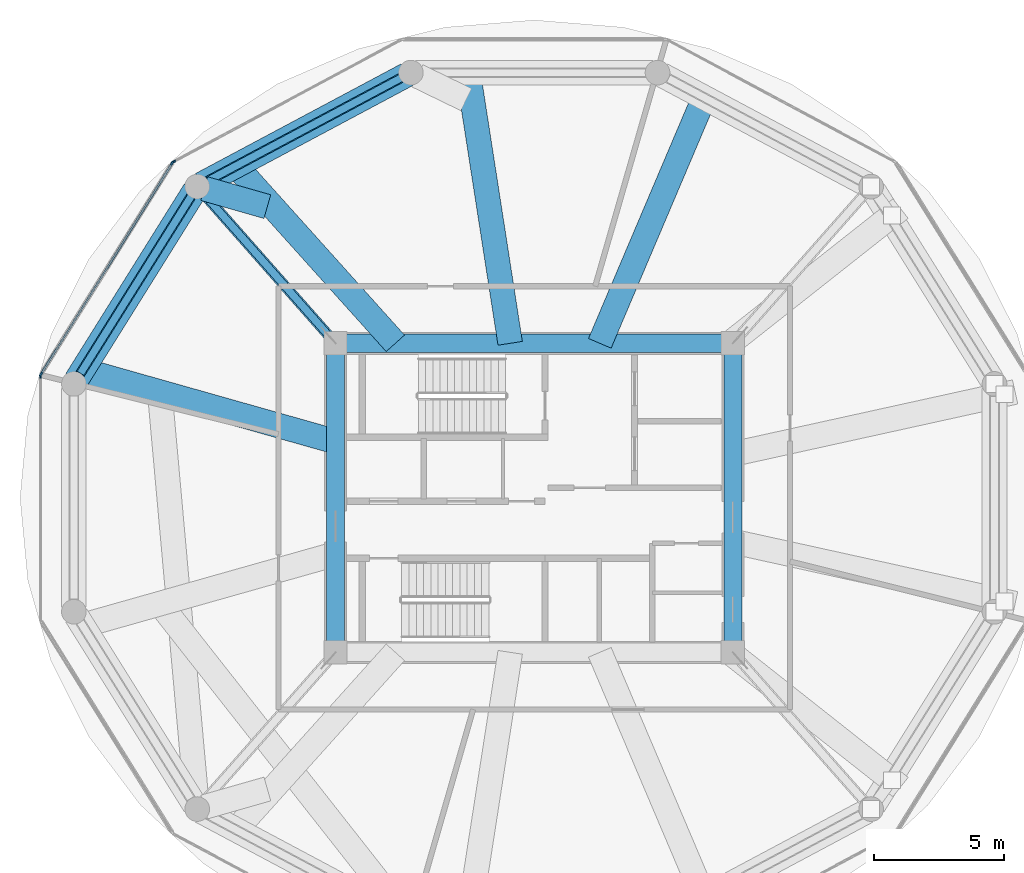
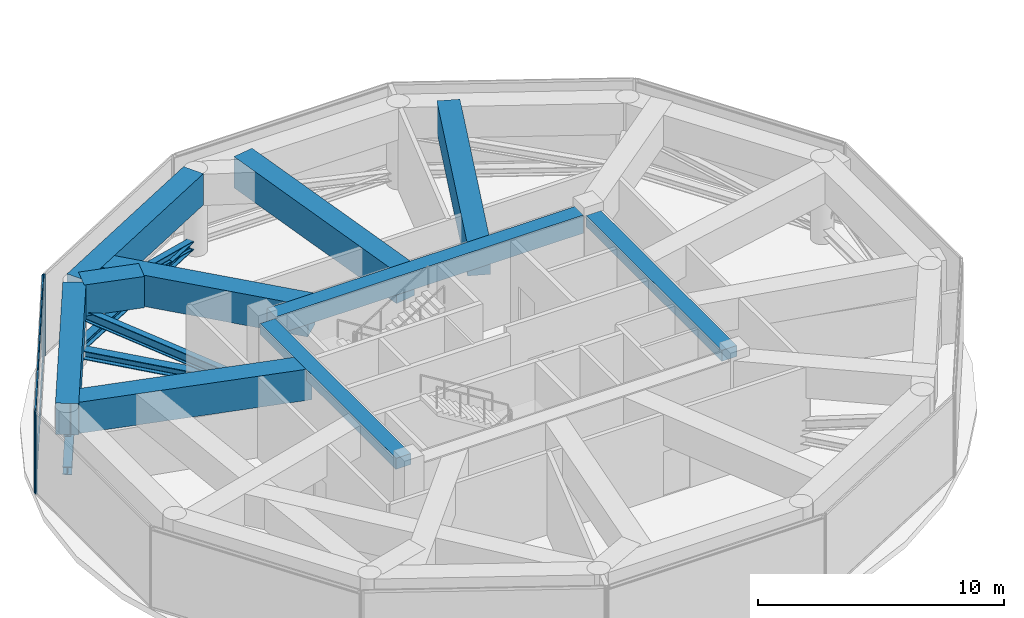
# One storey, part 4 of 22: 12 members, 10 beams, 3 elements without a shape of their own.
"""IFC4 building model written with IfcOpenShell, lengths in metres."""

from ifc_helpers import new_model, si_unit, direction, frame, origin, origin_2d, place, context, subcontext, project, spatial, rectangle, i_section, extrude, source, transform, mapped, material, layer, layer_set, material_profile, profile_set, type_object, type_shapes, element, aggregate, save


model = new_model("IFC4")

# Units and contexts
model_context = context("Model", 3, precision=1e-05, world=origin(), true_north=direction((0.0, 1.0)))
body_context = subcontext(model_context, "Body", "Model", "MODEL_VIEW")
ifc_project = project(units=[si_unit("LENGTHUNIT", "METRE"), si_unit("AREAUNIT", "SQUARE_METRE"), si_unit("VOLUMEUNIT", "CUBIC_METRE"), si_unit("PLANEANGLEUNIT", "RADIAN"), si_unit("MASSUNIT", "GRAM", prefix="KILO")], contexts=[model_context])

# Site, building, storey
site_placement = place(None, origin())
site = spatial("IfcSite", under=ifc_project, at=site_placement, CompositionType="ELEMENT")
building_placement = place(site_placement, origin())
building = spatial("IfcBuilding", under=site, at=building_placement, Name="Norrkilde Senior Care Towers", CompositionType="ELEMENT")
storey_placement = place(building_placement, frame((0.0, 0.0, 73.449951171875)))
storey = spatial("IfcBuildingStorey", under=building, at=storey_placement, Name="L22", CompositionType="ELEMENT", Elevation=73.449951171875)

# Beams
ifc_material_1 = material(Name="Concrete C60/75", Category="concrete")
ifc_material_profile_1 = material_profile(ifc_material_1, rectangle(XDim=0.699951171875, YDim=0.89990234375, at=origin_2d()), Name="RC BM 700x900")
ifc_profile_set_1 = profile_set([ifc_material_profile_1], Name="Concrete C60/75")
beam_type_1 = type_object("IfcBeamType", Name="Core Coupling Girder 700x900", PredefinedType="USERDEFINED", material=ifc_profile_set_1)
shared_shape_1 = source(origin(), body_context, "Body", "SweptSolid", [
    extrude(rectangle(XDim=0.699951171875, YDim=0.89990234375, at=origin_2d()), origin(), (0.0, 0.0, 1.0), 14.43994140625),
])
type_shapes(beam_type_1, [shared_shape_1])
beam_1_placement = place(storey_placement, frame((-35.219970703125, 5.949951171875, 3.630126953125), z_axis=(1.0, 0.0, 0.0), x_axis=(0.0, 1.0, 0.0)))
element("IfcBeam", 1, at=beam_1_placement, inside=storey, type_object=beam_type_1, Name="L22 Core W N Coupling Girder", ObjectType="GIRDER", PredefinedType="USERDEFINED", context=body_context, shape_type="MappedRepresentation", body=[
    mapped(shared_shape_1, transform((0.0, 0.0, 0.0), x_axis=(1.0, 0.0, 0.0), y_axis=(0.0, 1.0, 0.0), z_axis=(0.0, 0.0, 1.0), scale=1.0)),
])
ifc_material_profile_2 = material_profile(ifc_material_1, rectangle(XDim=0.699951171875, YDim=0.550048828125, at=origin_2d()), Name="RC BM 700x550")
ifc_profile_set_2 = profile_set([ifc_material_profile_2], Name="Concrete C60/75")
beam_type_2 = type_object("IfcBeamType", Name="Core Portal Coupling Beam 700x550", PredefinedType="USERDEFINED", material=ifc_profile_set_2)
shared_shape_2 = source(origin(), body_context, "Body", "SweptSolid", [
    extrude(rectangle(XDim=0.699951171875, YDim=0.550048828125, at=origin_2d()), origin(), (0.0, 0.0, 1.0), 11.0400390625),
])
type_shapes(beam_type_2, [shared_shape_2])
for number, where, z_axis, x_axis, name in (
    (2, (-35.64990234375, -5.52001953125, 3.804931640625), (0.0, 1.0, 0.0), (-1.0, 0.0, 0.0), "L22 Core W W Coupling Girder"),
    (3, (-20.35009765625, -5.52001953125, 3.804931640625), (0.0, 1.0, 0.0), (-1.0, 0.0, 0.0), "L22 Core W E Coupling Girder"),
):
    element("IfcBeam", number, at=place(storey_placement, frame(where, z_axis=z_axis, x_axis=x_axis)), inside=storey, type_object=beam_type_2, Name=name, ObjectType="GIRDER", PredefinedType="USERDEFINED", context=body_context, shape_type="MappedRepresentation", body=[
        mapped(shared_shape_2, transform((0.0, 0.0, 0.0), x_axis=(1.0, 0.0, 0.0), y_axis=(0.0, 1.0, 0.0), z_axis=(0.0, 0.0, 1.0), scale=1.0)),
    ])
ifc_material_profile_3 = material_profile(ifc_material_1, rectangle(XDim=0.949951171875, YDim=1.550048828125, at=origin_2d()), Name="RC TG 950x1550")
ifc_profile_set_3 = profile_set([ifc_material_profile_3], Name="Concrete C60/75")
beam_type_3 = type_object("IfcBeamType", Name="Transfer Girder Zone Shift 950x1550", PredefinedType="USERDEFINED", material=ifc_profile_set_3)
shared_shape_3 = source(origin(), body_context, "Body", "SweptSolid", [
    extrude(rectangle(XDim=0.949951171875, YDim=1.550048828125, at=origin_2d()), origin(), (0.0, 0.0, 1.0), 8.6005859375),
])
beam_2_placement = place(storey_placement, frame((-41.07080078125, 11.832763671875, 3.304931640625), z_axis=(-0.53002700696, -0.847980761511, 0.0), x_axis=(0.847980761511, -0.53002700696, 0.0)))
element("IfcBeam", 4, at=beam_2_placement, inside=storey, type_object=beam_type_3, Name="L22 Drum W Zone Ring Transfer Girder 05", ObjectType="GIRDER", PredefinedType="USERDEFINED", context=body_context, shape_type="MappedRepresentation", body=[
    mapped(shared_shape_3, transform((0.0, 0.0, 0.0), x_axis=(1.0, 0.0, 0.0), y_axis=(0.0, 1.0, 0.0), z_axis=(0.0, 0.0, 1.0), scale=1.0)),
])
shared_shape_4 = source(origin(), body_context, "Body", "SweptSolid", [
    extrude(rectangle(XDim=0.949951171875, YDim=1.550048828125, at=origin_2d()), origin(), (0.0, 0.0, 1.0), 8.962890625),
])
beam_3_placement = place(storey_placement, frame((-32.908203125, 16.287841796875, 3.304931640625), z_axis=(-0.882355957252, -0.470582580109, 0.0), x_axis=(0.470582580109, -0.882355957252, 0.0)))
element("IfcBeam", 5, at=beam_3_placement, inside=storey, type_object=beam_type_3, Name="L22 Drum W Zone Ring Transfer Girder 04", ObjectType="GIRDER", PredefinedType="USERDEFINED", context=body_context, shape_type="MappedRepresentation", body=[
    mapped(shared_shape_4, transform((0.0, 0.0, 0.0), x_axis=(1.0, 0.0, 0.0), y_axis=(0.0, 1.0, 0.0), z_axis=(0.0, 0.0, 1.0), scale=1.0)),
])
shared_shape_5 = source(origin(), body_context, "Body", "SweptSolid", [
    extrude(rectangle(XDim=0.949951171875, YDim=1.550048828125, at=origin_2d()), origin(), (0.0, 0.0, 1.0), 10.281982421875),
])
beam_4_placement = place(storey_placement, frame((-25.472412109375, 5.949951171875, 3.304931640625), z_axis=(0.391002869326, 0.920389458968, 0.0), x_axis=(-0.920389458968, 0.391002869326, 0.0)))
element("IfcBeam", 6, at=beam_4_placement, inside=storey, type_object=beam_type_3, Name="L22 Drum W Zone Transfer Girder 03", ObjectType="GIRDER", PredefinedType="USERDEFINED", context=body_context, shape_type="MappedRepresentation", body=[
    mapped(shared_shape_5, transform((0.0, 0.0, 0.0), x_axis=(1.0, 0.0, 0.0), y_axis=(0.0, 1.0, 0.0), z_axis=(0.0, 0.0, 1.0), scale=1.0)),
])
shared_shape_6 = source(origin(), body_context, "Body", "SweptSolid", [
    extrude(rectangle(XDim=0.949951171875, YDim=1.550048828125, at=origin_2d()), origin(), (0.0, 0.0, 1.0), 10.547607421875),
])
beam_5_placement = place(storey_placement, frame((-28.924072265625, 5.949951171875, 3.304931640625), z_axis=(-0.153485022833, 0.988150974176, 0.0), x_axis=(-0.988150974176, -0.153485022833, 0.0)))
element("IfcBeam", 7, at=beam_5_placement, inside=storey, type_object=beam_type_3, Name="L22 Drum W Zone Transfer Girder 04", ObjectType="GIRDER", PredefinedType="USERDEFINED", context=body_context, shape_type="MappedRepresentation", body=[
    mapped(shared_shape_6, transform((0.0, 0.0, 0.0), x_axis=(1.0, 0.0, 0.0), y_axis=(0.0, 1.0, 0.0), z_axis=(0.0, 0.0, 1.0), scale=1.0)),
])
shared_shape_7 = source(origin(), body_context, "Body", "SweptSolid", [
    extrude(rectangle(XDim=0.949951171875, YDim=1.550048828125, at=origin_2d()), origin(), (0.0, 0.0, 1.0), 9.183349609375),
])
beam_6_placement = place(storey_placement, frame((-33.345947265625, 5.949951171875, 3.304931640625), z_axis=(-0.668319684115, 0.743874182792, 0.0), x_axis=(-0.743874182792, -0.668319684115, 0.0)))
element("IfcBeam", 8, at=beam_6_placement, inside=storey, type_object=beam_type_3, Name="L22 Drum W Zone Transfer Girder 05", ObjectType="GIRDER", PredefinedType="USERDEFINED", context=body_context, shape_type="MappedRepresentation", body=[
    mapped(shared_shape_7, transform((0.0, 0.0, 0.0), x_axis=(1.0, 0.0, 0.0), y_axis=(0.0, 1.0, 0.0), z_axis=(0.0, 0.0, 1.0), scale=1.0)),
])
shared_shape_8 = source(origin(), body_context, "Body", "SweptSolid", [
    extrude(rectangle(XDim=0.949951171875, YDim=1.550048828125, at=origin_2d()), origin(), (0.0, 0.0, 1.0), 2.528076171875),
])
beam_7_placement = place(storey_placement, frame((-38.275390625, 11.2138671875, 3.304931640625), z_axis=(-0.961520303508, 0.274733882041, 0.0), x_axis=(-0.274733882041, -0.961520303508, 0.0)))
element("IfcBeam", 9, at=beam_7_placement, inside=storey, type_object=beam_type_3, Name="L22 Drum W Zone Star Transfer Tie 05", ObjectType="GIRDER", PredefinedType="USERDEFINED", context=body_context, shape_type="MappedRepresentation", body=[
    mapped(shared_shape_8, transform((0.0, 0.0, 0.0), x_axis=(1.0, 0.0, 0.0), y_axis=(0.0, 1.0, 0.0), z_axis=(0.0, 0.0, 1.0), scale=1.0)),
])
shared_shape_9 = source(origin(), body_context, "Body", "SweptSolid", [
    extrude(rectangle(XDim=0.949951171875, YDim=1.550048828125, at=origin_2d()), origin(), (0.0, 0.0, 1.0), 10.125244140625),
])
type_shapes(beam_type_3, [shared_shape_3, shared_shape_4, shared_shape_5, shared_shape_6, shared_shape_7, shared_shape_8, shared_shape_9])
beam_8_placement = place(storey_placement, frame((-35.64990234375, 2.162841796875, 3.304931640625), z_axis=(-0.962288137235, 0.272032242459, 0.0), x_axis=(-0.272032242459, -0.962288137235, 0.0)))
element("IfcBeam", 10, at=beam_8_placement, inside=storey, type_object=beam_type_3, Name="L22 Drum W Zone Transfer Girder 06", ObjectType="GIRDER", PredefinedType="USERDEFINED", context=body_context, shape_type="MappedRepresentation", body=[
    mapped(shared_shape_9, transform((0.0, 0.0, 0.0), x_axis=(1.0, 0.0, 0.0), y_axis=(0.0, 1.0, 0.0), z_axis=(0.0, 0.0, 1.0), scale=1.0)),
])

# Members
ifc_material_2 = material(Name="Steel S355", Category="steel")
ifc_material_profile_4 = material_profile(ifc_material_2, i_section(OverallWidth=0.3740234375, OverallDepth=0.386962890625, WebThickness=0.01611328125, FlangeThickness=0.027099609375, FilletRadius=0.014892578125, at=origin_2d()), Name="HD 360x262")
ifc_profile_set_4 = profile_set([ifc_material_profile_4], Name="Steel S355")
member_type_1 = type_object("IfcMemberType", Name="Belt Truss Ring Chord HD360x262", PredefinedType="CHORD", material=ifc_profile_set_4)
shared_shape_10 = source(origin(), body_context, "Body", "SweptSolid", [
    extrude(i_section(OverallWidth=0.3740234375, OverallDepth=0.386962890625, WebThickness=0.01611328125, FlangeThickness=0.027099609375, FilletRadius=0.014892578125, at=origin_2d()), origin(), (0.0, 0.0, 1.0), 8.090576171875),
])
member_1_placement = place(storey_placement, frame((-41.2060546875, 11.61669921875, 0.550048828125), z_axis=(-0.530004364821, -0.84799491347, 0.0), x_axis=(0.84799491347, -0.530004364821, 0.0)))
element("IfcMember", 11, at=member_1_placement, inside=storey, type_object=member_type_1, Name="L22 Drum W Belt Truss Bottom Chord 05", PredefinedType="CHORD", context=body_context, shape_type="MappedRepresentation", body=[
    mapped(shared_shape_10, transform((0.0, 0.0, 0.0), x_axis=(1.0, 0.0, 0.0), y_axis=(0.0, 1.0, 0.0), z_axis=(0.0, 0.0, 1.0), scale=1.0)),
])
ifc_material_profile_5 = material_profile(ifc_material_2, i_section(OverallWidth=0.300048828125, OverallDepth=0.39990234375, WebThickness=0.013427734375, FlangeThickness=0.02392578125, FilletRadius=0.027099609375, at=origin_2d()), Name="HEB 400")
ifc_profile_set_5 = profile_set([ifc_material_profile_5], Name="Steel S355")
member_type_2 = type_object("IfcMemberType", Name="Belt Truss Diagonal HEB400", PredefinedType="BRACE", material=ifc_profile_set_5)
shared_shape_11 = source(origin(), body_context, "Body", "SweptSolid", [
    extrude(i_section(OverallWidth=0.300048828125, OverallDepth=0.39990234375, WebThickness=0.013427734375, FlangeThickness=0.02392578125, FilletRadius=0.027099609375, at=origin_2d()), origin(), (0.0, 0.0, 1.0), 8.317626953125),
])
member_2_placement = place(storey_placement, frame((-41.2060546875, 11.61669921875, 0.550048828125), z_axis=(-0.515540041994, -0.824852326355, 0.232028241401), x_axis=(0.84799491347, -0.530004364821, 0.0)))
element("IfcMember", 12, at=member_2_placement, inside=storey, type_object=member_type_2, Name="L22 Drum W Belt Truss Diagonal 05", PredefinedType="BRACE", context=body_context, shape_type="MappedRepresentation", body=[
    mapped(shared_shape_11, transform((0.0, 0.0, 0.0), x_axis=(1.0, 0.0, 0.0), y_axis=(0.0, 1.0, 0.0), z_axis=(0.0, 0.0, 1.0), scale=1.0)),
])
shared_shape_12 = source(origin(), body_context, "Body", "SweptSolid", [
    extrude(i_section(OverallWidth=0.3740234375, OverallDepth=0.386962890625, WebThickness=0.01611328125, FlangeThickness=0.027099609375, FilletRadius=0.014892578125, at=origin_2d()), origin(), (0.0, 0.0, 1.0), 8.452880859375),
])
type_shapes(member_type_1, [shared_shape_10, shared_shape_12])
member_3_placement = place(storey_placement, frame((-33.133056640625, 16.167724609375, 0.550048828125), z_axis=(-0.882368931134, -0.470558252898, 0.0), x_axis=(0.470558252898, -0.882368931134, 0.0)))
element("IfcMember", 13, at=member_3_placement, inside=storey, type_object=member_type_1, Name="L22 Drum W Belt Truss Bottom Chord 04", PredefinedType="CHORD", context=body_context, shape_type="MappedRepresentation", body=[
    mapped(shared_shape_12, transform((0.0, 0.0, 0.0), x_axis=(1.0, 0.0, 0.0), y_axis=(0.0, 1.0, 0.0), z_axis=(0.0, 0.0, 1.0), scale=1.0)),
])
shared_shape_13 = source(origin(), body_context, "Body", "SweptSolid", [
    extrude(i_section(OverallWidth=0.300048828125, OverallDepth=0.39990234375, WebThickness=0.013427734375, FlangeThickness=0.02392578125, FilletRadius=0.027099609375, at=origin_2d()), origin(), (0.0, 0.0, 1.0), 8.67041015625),
])
type_shapes(member_type_2, [shared_shape_11, shared_shape_13])
member_4_placement = place(storey_placement, frame((-33.133056640625, 16.167724609375, 0.550048828125), z_axis=(-0.860232119374, -0.458752919438, 0.222590340545), x_axis=(0.470558252898, -0.882368931134, 0.0)))
element("IfcMember", 14, at=member_4_placement, inside=storey, type_object=member_type_2, Name="L22 Drum W Belt Truss Diagonal 04", PredefinedType="BRACE", context=body_context, shape_type="MappedRepresentation", body=[
    mapped(shared_shape_13, transform((0.0, 0.0, 0.0), x_axis=(1.0, 0.0, 0.0), y_axis=(0.0, 1.0, 0.0), z_axis=(0.0, 0.0, 1.0), scale=1.0)),
])
ifc_material_profile_6 = material_profile(ifc_material_2, i_section(OverallWidth=0.402099609375, OverallDepth=0.419921875, WebThickness=0.02001953125, FlangeThickness=0.032958984375, FilletRadius=0.014892578125, at=origin_2d()), Name="HD 400x347")
ifc_profile_set_6 = profile_set([ifc_material_profile_6], Name="Steel S355")
member_type_3 = type_object("IfcMemberType", Name="Outrigger Truss Chord HD400x347", PredefinedType="CHORD", material=ifc_profile_set_6)
shared_shape_14 = source(origin(), body_context, "Body", "SweptSolid", [
    extrude(i_section(OverallWidth=0.402099609375, OverallDepth=0.419921875, WebThickness=0.02001953125, FlangeThickness=0.032958984375, FilletRadius=0.014892578125, at=origin_2d()), origin(), (0.0, 0.0, 1.0), 7.203857421875),
])
type_shapes(member_type_3, [shared_shape_14])
member_5_placement = place(storey_placement, frame((-35.92138671875, 6.25732421875, 0.550048828125), z_axis=(-0.661603702805, 0.74985367935, 0.0), x_axis=(-0.74985367935, -0.661603702805, 0.0)))
element("IfcMember", 15, at=member_5_placement, inside=storey, type_object=member_type_3, Name="L22 Drum W Outrigger Chord 4", PredefinedType="CHORD", context=body_context, shape_type="MappedRepresentation", body=[
    mapped(shared_shape_14, transform((0.0, 0.0, 0.0), x_axis=(1.0, 0.0, 0.0), y_axis=(0.0, 1.0, 0.0), z_axis=(0.0, 0.0, 1.0), scale=1.0)),
])
ifc_material_profile_7 = material_profile(ifc_material_2, i_section(OverallWidth=0.300048828125, OverallDepth=0.5, WebThickness=0.014404296875, FlangeThickness=0.028076171875, FilletRadius=0.027099609375, at=origin_2d()), Name="HEB 500")
ifc_profile_set_7 = profile_set([ifc_material_profile_7], Name="Steel S355")
member_type_4 = type_object("IfcMemberType", Name="Outrigger Truss Diagonal HEB500", PredefinedType="BRACE", material=ifc_profile_set_7)
shared_shape_15 = source(origin(), body_context, "Body", "SweptSolid", [
    extrude(i_section(OverallWidth=0.300048828125, OverallDepth=0.5, WebThickness=0.014404296875, FlangeThickness=0.028076171875, FilletRadius=0.027099609375, at=origin_2d()), origin(), (0.0, 0.0, 1.0), 7.4580078125),
])
type_shapes(member_type_4, [shared_shape_15])
member_6_placement = place(storey_placement, frame((-35.92138671875, 6.25732421875, 0.550048828125), z_axis=(-0.639067688082, 0.724311631314, 0.258776256239), x_axis=(-0.74985367935, -0.661603702805, 0.0)))
element("IfcMember", 16, at=member_6_placement, inside=storey, type_object=member_type_4, Name="L22 Drum W Outrigger Diagonal 4", PredefinedType="BRACE", context=body_context, shape_type="MappedRepresentation", body=[
    mapped(shared_shape_15, transform((0.0, 0.0, 0.0), x_axis=(1.0, 0.0, 0.0), y_axis=(0.0, 1.0, 0.0), z_axis=(0.0, 0.0, 1.0), scale=1.0)),
])

# Curtain wall, member
ifc_material_3 = material(Name="Triple Low-E Insulated Glazing", Category="glass")
ifc_layer = layer(ifc_material_3, 0.18505859375)
ifc_layer_set = layer_set([ifc_layer], Name="Triple Low-E Insulated Glazing")
curtain_wall_type = type_object("IfcCurtainWallType", Name="CW6 Zone 4 Crown Pavilion Curtain Wall", PredefinedType="NOTDEFINED", material=ifc_layer_set)
curtain_wall_1_placement = place(storey_placement, origin())
curtain_wall_1 = element("IfcCurtainWall", 17, at=curtain_wall_1_placement, inside=storey, type_object=curtain_wall_type, Name="L22 Drum W Curtain Wall 03", PredefinedType="NOTDEFINED")
ifc_material_4 = material(Name="Anodised Aluminium", Category="aluminium")
ifc_material_profile_8 = material_profile(ifc_material_4, rectangle(XDim=0.070068359375, YDim=0.169921875, at=origin_2d()), Name="ALU MULL 70x170")
ifc_profile_set_8 = profile_set([ifc_material_profile_8], Name="Anodised Aluminium")
member_type_5 = type_object("IfcMemberType", Name="Curtain Wall Mullion Heavy 70x170", PredefinedType="MULLION", material=ifc_profile_set_8)
shared_shape_16 = source(origin(), body_context, "Body", "SweptSolid", [
    extrude(rectangle(XDim=0.070068359375, YDim=0.169921875, at=origin_2d()), origin(), (0.0, 0.0, 1.0), 4.080078125),
])
type_shapes(member_type_5, [shared_shape_16])
member_7_placement = place(storey_placement, frame((-41.885009765625, 12.9423828125, 0.0), z_axis=(0.0, 0.0, 1.0), x_axis=(-0.472607802456, 0.881272866403, 0.0)))
member_7 = element("IfcMember", 18, at=member_7_placement, type_object=member_type_5, Name="CW-6 mullion 1", PredefinedType="MULLION", context=body_context, shape_type="MappedRepresentation", body=[
    mapped(shared_shape_16, transform((0.0, 0.0, 0.0), x_axis=(1.0, 0.0, 0.0), y_axis=(0.0, 1.0, 0.0), z_axis=(0.0, 0.0, 1.0), scale=1.0)),
])
aggregate(curtain_wall_1, [member_7])

# Curtain wall, members
curtain_wall_2_placement = place(storey_placement, origin())
curtain_wall_2 = element("IfcCurtainWall", 19, at=curtain_wall_2_placement, inside=storey, type_object=curtain_wall_type, Name="L22 Drum W Curtain Wall 04", PredefinedType="NOTDEFINED")
member_8_placement = place(storey_placement, frame((-46.990966796875, 4.760986328125, 0.0), z_axis=(0.0, 0.0, 1.0), x_axis=(-0.849305943117, 0.527900951871, 0.0)))
member_8 = element("IfcMember", 20, at=member_8_placement, type_object=member_type_5, Name="CW-6 mullion 1", PredefinedType="MULLION", context=body_context, shape_type="MappedRepresentation", body=[
    mapped(shared_shape_16, transform((0.0, 0.0, 0.0), x_axis=(1.0, 0.0, 0.0), y_axis=(0.0, 1.0, 0.0), z_axis=(0.0, 0.0, 1.0), scale=1.0)),
])
member_9_placement = place(storey_placement, frame((-41.934326171875, 12.896240234375, 0.0), z_axis=(0.0, 0.0, 1.0), x_axis=(-0.849305943117, 0.527900951871, 0.0)))
member_9 = element("IfcMember", 21, at=member_9_placement, type_object=member_type_5, Name="CW-6 mullion 2", PredefinedType="MULLION", context=body_context, shape_type="MappedRepresentation", body=[
    mapped(shared_shape_16, transform((0.0, 0.0, 0.0), x_axis=(1.0, 0.0, 0.0), y_axis=(0.0, 1.0, 0.0), z_axis=(0.0, 0.0, 1.0), scale=1.0)),
])

# Curtain wall, member
curtain_wall_3_placement = place(storey_placement, origin())
curtain_wall_3 = element("IfcCurtainWall", 22, at=curtain_wall_3_placement, inside=storey, type_object=curtain_wall_type, Name="L22 Drum W Curtain Wall 05", PredefinedType="NOTDEFINED")
member_10_placement = place(storey_placement, frame((-47.009521484375, 4.6962890625, 0.0), z_axis=(0.0, 0.0, 1.0), x_axis=(-1.0, 0.0, 0.0)))
member_10 = element("IfcMember", 23, at=member_10_placement, type_object=member_type_5, Name="CW-6 mullion 2", PredefinedType="MULLION", context=body_context, shape_type="MappedRepresentation", body=[
    mapped(shared_shape_16, transform((0.0, 0.0, 0.0), x_axis=(1.0, 0.0, 0.0), y_axis=(0.0, 1.0, 0.0), z_axis=(0.0, 0.0, 1.0), scale=1.0)),
])
aggregate(curtain_wall_3, [member_10])

# Member
ifc_material_profile_9 = material_profile(ifc_material_4, rectangle(XDim=0.06494140625, YDim=0.1298828125, at=origin_2d()), Name="ALU TRAN 65x130")
ifc_profile_set_9 = profile_set([ifc_material_profile_9], Name="Anodised Aluminium")
member_type_6 = type_object("IfcMemberType", Name="Curtain Wall Transom Heavy 65x130", PredefinedType="USERDEFINED", material=ifc_profile_set_9)
shared_shape_17 = source(origin(), body_context, "Body", "SweptSolid", [
    extrude(rectangle(XDim=0.06494140625, YDim=0.1298828125, at=origin_2d()), origin(), (0.0, 0.0, 1.0), 9.508544921875),
])
type_shapes(member_type_6, [shared_shape_17])
member_11_placement = place(storey_placement, frame((-46.972412109375, 4.790771484375, 0.032470703125), z_axis=(0.527897081271, 0.849308348944, 0.0), x_axis=(-0.849308348944, 0.527897081271, 0.0)))
member_11 = element("IfcMember", 24, at=member_11_placement, type_object=member_type_6, Name="CW-6 transom 1.1", ObjectType="TRANSOM", PredefinedType="USERDEFINED", context=body_context, shape_type="MappedRepresentation", body=[
    mapped(shared_shape_17, transform((0.0, 0.0, 0.0), x_axis=(1.0, 0.0, 0.0), y_axis=(0.0, 1.0, 0.0), z_axis=(0.0, 0.0, 1.0), scale=1.0)),
])

member_12_placement = place(storey_placement, frame((-46.972412109375, 4.790771484375, 4.047607421875), z_axis=(0.527897081271, 0.849308348944, 0.0), x_axis=(-0.849308348944, 0.527897081271, 0.0)))
member_12 = element("IfcMember", 25, at=member_12_placement, type_object=member_type_6, Name="CW-6 transom 1.2", ObjectType="TRANSOM", PredefinedType="USERDEFINED", context=body_context, shape_type="MappedRepresentation", body=[
    mapped(shared_shape_17, transform((0.0, 0.0, 0.0), x_axis=(1.0, 0.0, 0.0), y_axis=(0.0, 1.0, 0.0), z_axis=(0.0, 0.0, 1.0), scale=1.0)),
])

aggregate(curtain_wall_2, [member_8, member_9, member_11, member_12])

save(model, "model.ifc")
